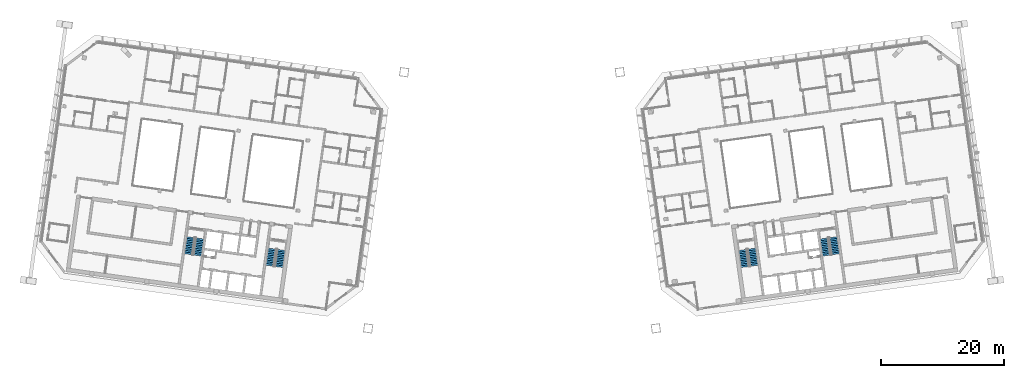
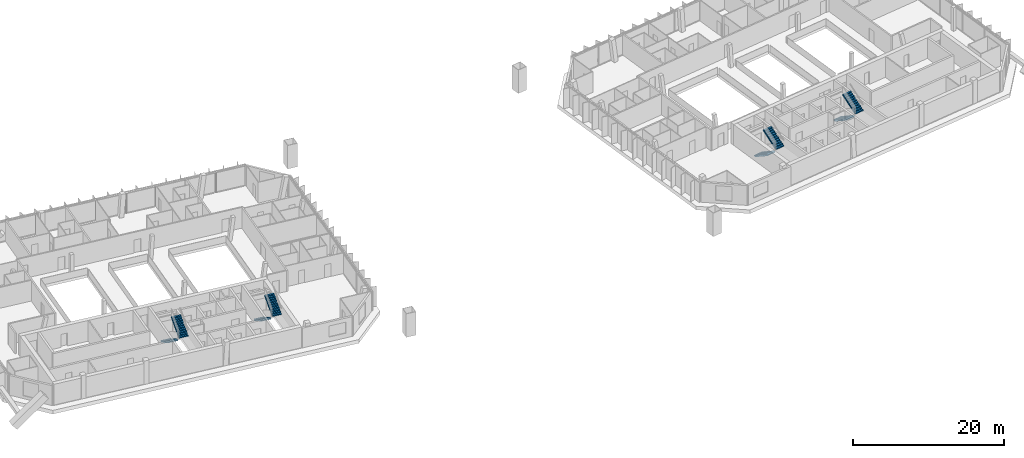
# One storey, part 22 of 26: 8 stair flights, 4 elements without a shape of their own.
"""IFC4 building model written with IfcOpenShell, lengths in metres."""

from ifc_helpers import new_model, si_unit, direction, frame, origin, place, context, subcontext, project, spatial, polyline, outline, extrude, material, type_object, element, aggregate, save


model = new_model("IFC4")

# Units and contexts
model_context = context("Model", 3, precision=1e-05, world=origin(), true_north=direction((0.0, 1.0)))
body_context = subcontext(model_context, "Body", "Model", "MODEL_VIEW")
ifc_project = project(units=[si_unit("LENGTHUNIT", "METRE"), si_unit("AREAUNIT", "SQUARE_METRE"), si_unit("VOLUMEUNIT", "CUBIC_METRE"), si_unit("PLANEANGLEUNIT", "RADIAN"), si_unit("MASSUNIT", "GRAM", prefix="KILO")], contexts=[model_context])

# Site, building, storey
site_placement = place(None, origin())
site = spatial("IfcSite", under=ifc_project, at=site_placement, CompositionType="ELEMENT")
building_placement = place(site_placement, origin())
building = spatial("IfcBuilding", under=site, at=building_placement, Name="Mirante Cascada Hotel Towers", CompositionType="ELEMENT")
storey_placement = place(building_placement, frame((0.0, 0.0, 228.0)))
storey = spatial("IfcBuildingStorey", under=building, at=storey_placement, Name="L54", CompositionType="ELEMENT", Elevation=228.0)

# Stair, stair flights
ifc_material_1 = material(Name="Concrete C35/45", Category="concrete")
stair_type = type_object("IfcStairType", Name="Exit stair half-turn 1350 concrete C35/45", PredefinedType="HALF_TURN_STAIR", material=ifc_material_1)
stair_1_placement = place(storey_placement, origin())
stair_1 = element("IfcStair", 1, at=stair_1_placement, inside=storey, type_object=stair_type, Name="L54 Exit stair A", PredefinedType="HALF_TURN_STAIR")
ifc_material_2 = material(Name="Concrete C35/45", Category="concrete")
stair_flight_type = type_object("IfcStairFlightType", Name="Exit stair flight 1350 concrete C35/45", PredefinedType="STRAIGHT", material=ifc_material_2)
stair_flight_1_placement = place(storey_placement, frame((-38.9417, -11.195, 0.0), z_axis=(0.0, 0.0, 1.0), x_axis=(-0.1391731, -0.9902681, 0.0)))
stair_flight_1 = element("IfcStairFlight", 2, at=stair_flight_1_placement, type_object=stair_flight_type, Name="ST1-A flight 1", NumberOfRisers=11, NumberOfTreads=10, PredefinedType="STRAIGHT", RiserHeight=0.172727273, TreadLength=0.28, context=body_context, shape_type="SweptSolid", body=[
    extrude(outline(polyline([(0.0, 0.0), (0.0, 0.1727), (0.28, 0.1727), (0.28, 0.3455), (0.56, 0.3455), (0.56, 0.5182), (0.84, 0.5182), (0.84, 0.6909), (1.12, 0.6909), (1.12, 0.8636), (1.4, 0.8636), (1.4, 1.0364), (1.68, 1.0364), (1.68, 1.2091), (1.96, 1.2091), (1.96, 1.3818), (2.24, 1.3818), (2.24, 1.5545), (2.52, 1.5545), (2.52, 1.7273), (2.8, 1.7273), (2.8, 1.9), (2.8, 1.551), (0.2857, 0.0), (0.0, 0.0)])), frame((0.0, 0.675, 0.0), z_axis=(0.0, -1.0, 0.0), x_axis=(1.0, 0.0, 0.0)), (0.0, 0.0, 1.0), 1.35),
])
stair_flight_2_placement = place(storey_placement, frame((-37.846, -14.1765, 1.9), z_axis=(0.0, 0.0, 1.0), x_axis=(0.1391731, 0.9902681, 0.0)))
stair_flight_2 = element("IfcStairFlight", 3, at=stair_flight_2_placement, type_object=stair_flight_type, Name="ST1-A flight 2", NumberOfRisers=11, NumberOfTreads=10, PredefinedType="STRAIGHT", RiserHeight=0.172727273, TreadLength=0.28, context=body_context, shape_type="SweptSolid", body=[
    extrude(outline(polyline([(0.0, 0.0), (0.0, 0.1727), (0.28, 0.1727), (0.28, 0.3455), (0.56, 0.3455), (0.56, 0.5182), (0.84, 0.5182), (0.84, 0.6909), (1.12, 0.6909), (1.12, 0.8636), (1.4, 0.8636), (1.4, 1.0364), (1.68, 1.0364), (1.68, 1.2091), (1.96, 1.2091), (1.96, 1.3818), (2.24, 1.3818), (2.24, 1.5545), (2.52, 1.5545), (2.52, 1.7273), (2.8, 1.7273), (2.8, 1.9), (2.8, 1.551), (0.2857, 0.0), (0.0, 0.0)])), frame((0.0, 0.675, 0.0), z_axis=(0.0, -1.0, 0.0), x_axis=(1.0, 0.0, 0.0)), (0.0, 0.0, 1.0), 1.35),
])
aggregate(stair_1, [stair_flight_1, stair_flight_2])

stair_2_placement = place(storey_placement, origin())
stair_2 = element("IfcStair", 4, at=stair_2_placement, inside=storey, type_object=stair_type, Name="L54 Exit stair B", PredefinedType="HALF_TURN_STAIR")
stair_flight_3_placement = place(storey_placement, frame((-52.1618, -9.3371, 0.0), z_axis=(0.0, 0.0, 1.0), x_axis=(-0.1391731, -0.9902681, 0.0)))
stair_flight_3 = element("IfcStairFlight", 5, at=stair_flight_3_placement, type_object=stair_flight_type, Name="ST1-B flight 1", NumberOfRisers=11, NumberOfTreads=10, PredefinedType="STRAIGHT", RiserHeight=0.172727273, TreadLength=0.28, context=body_context, shape_type="SweptSolid", body=[
    extrude(outline(polyline([(0.0, 0.0), (0.0, 0.1727), (0.28, 0.1727), (0.28, 0.3455), (0.56, 0.3455), (0.56, 0.5182), (0.84, 0.5182), (0.84, 0.6909), (1.12, 0.6909), (1.12, 0.8636), (1.4, 0.8636), (1.4, 1.0364), (1.68, 1.0364), (1.68, 1.2091), (1.96, 1.2091), (1.96, 1.3818), (2.24, 1.3818), (2.24, 1.5545), (2.52, 1.5545), (2.52, 1.7273), (2.8, 1.7273), (2.8, 1.9), (2.8, 1.551), (0.2857, 0.0), (0.0, 0.0)])), frame((0.0, 0.675, 0.0), z_axis=(0.0, -1.0, 0.0), x_axis=(1.0, 0.0, 0.0)), (0.0, 0.0, 1.0), 1.35),
])
stair_flight_4_placement = place(storey_placement, frame((-51.0661, -12.3186, 1.9), z_axis=(0.0, 0.0, 1.0), x_axis=(0.1391731, 0.9902681, 0.0)))
stair_flight_4 = element("IfcStairFlight", 6, at=stair_flight_4_placement, type_object=stair_flight_type, Name="ST1-B flight 2", NumberOfRisers=11, NumberOfTreads=10, PredefinedType="STRAIGHT", RiserHeight=0.172727273, TreadLength=0.28, context=body_context, shape_type="SweptSolid", body=[
    extrude(outline(polyline([(0.0, 0.0), (0.0, 0.1727), (0.28, 0.1727), (0.28, 0.3455), (0.56, 0.3455), (0.56, 0.5182), (0.84, 0.5182), (0.84, 0.6909), (1.12, 0.6909), (1.12, 0.8636), (1.4, 0.8636), (1.4, 1.0364), (1.68, 1.0364), (1.68, 1.2091), (1.96, 1.2091), (1.96, 1.3818), (2.24, 1.3818), (2.24, 1.5545), (2.52, 1.5545), (2.52, 1.7273), (2.8, 1.7273), (2.8, 1.9), (2.8, 1.551), (0.2857, 0.0), (0.0, 0.0)])), frame((0.0, 0.675, 0.0), z_axis=(0.0, -1.0, 0.0), x_axis=(1.0, 0.0, 0.0)), (0.0, 0.0, 1.0), 1.35),
])
aggregate(stair_2, [stair_flight_3, stair_flight_4])

stair_3_placement = place(storey_placement, origin())
stair_3 = element("IfcStair", 7, at=stair_3_placement, inside=storey, type_object=stair_type, Name="L54 Exit stair A", PredefinedType="HALF_TURN_STAIR")
stair_flight_5_placement = place(storey_placement, frame((37.4563, -11.4038, 0.0), z_axis=(0.0, 0.0, 1.0), x_axis=(0.1391731, -0.9902681, 0.0)))
stair_flight_5 = element("IfcStairFlight", 8, at=stair_flight_5_placement, type_object=stair_flight_type, Name="ST2-A flight 1", NumberOfRisers=11, NumberOfTreads=10, PredefinedType="STRAIGHT", RiserHeight=0.172727273, TreadLength=0.28, context=body_context, shape_type="SweptSolid", body=[
    extrude(outline(polyline([(0.0, 0.0), (0.0, 0.1727), (0.28, 0.1727), (0.28, 0.3455), (0.56, 0.3455), (0.56, 0.5182), (0.84, 0.5182), (0.84, 0.6909), (1.12, 0.6909), (1.12, 0.8636), (1.4, 0.8636), (1.4, 1.0364), (1.68, 1.0364), (1.68, 1.2091), (1.96, 1.2091), (1.96, 1.3818), (2.24, 1.3818), (2.24, 1.5545), (2.52, 1.5545), (2.52, 1.7273), (2.8, 1.7273), (2.8, 1.9), (2.8, 1.551), (0.2857, 0.0), (0.0, 0.0)])), frame((0.0, 0.675, 0.0), z_axis=(0.0, -1.0, 0.0), x_axis=(1.0, 0.0, 0.0)), (0.0, 0.0, 1.0), 1.35),
])
stair_flight_6_placement = place(storey_placement, frame((39.3314, -13.9678, 1.9), z_axis=(0.0, 0.0, 1.0), x_axis=(-0.1391731, 0.9902681, 0.0)))
stair_flight_6 = element("IfcStairFlight", 9, at=stair_flight_6_placement, type_object=stair_flight_type, Name="ST2-A flight 2", NumberOfRisers=11, NumberOfTreads=10, PredefinedType="STRAIGHT", RiserHeight=0.172727273, TreadLength=0.28, context=body_context, shape_type="SweptSolid", body=[
    extrude(outline(polyline([(0.0, 0.0), (0.0, 0.1727), (0.28, 0.1727), (0.28, 0.3455), (0.56, 0.3455), (0.56, 0.5182), (0.84, 0.5182), (0.84, 0.6909), (1.12, 0.6909), (1.12, 0.8636), (1.4, 0.8636), (1.4, 1.0364), (1.68, 1.0364), (1.68, 1.2091), (1.96, 1.2091), (1.96, 1.3818), (2.24, 1.3818), (2.24, 1.5545), (2.52, 1.5545), (2.52, 1.7273), (2.8, 1.7273), (2.8, 1.9), (2.8, 1.551), (0.2857, 0.0), (0.0, 0.0)])), frame((0.0, 0.675, 0.0), z_axis=(0.0, -1.0, 0.0), x_axis=(1.0, 0.0, 0.0)), (0.0, 0.0, 1.0), 1.35),
])
aggregate(stair_3, [stair_flight_5, stair_flight_6])

stair_4_placement = place(storey_placement, origin())
stair_4 = element("IfcStair", 10, at=stair_4_placement, inside=storey, type_object=stair_type, Name="L54 Exit stair B", PredefinedType="HALF_TURN_STAIR")
stair_flight_7_placement = place(storey_placement, frame((50.6764, -9.5458, 0.0), z_axis=(0.0, 0.0, 1.0), x_axis=(0.1391731, -0.9902681, 0.0)))
stair_flight_7 = element("IfcStairFlight", 11, at=stair_flight_7_placement, type_object=stair_flight_type, Name="ST2-B flight 1", NumberOfRisers=11, NumberOfTreads=10, PredefinedType="STRAIGHT", RiserHeight=0.172727273, TreadLength=0.28, context=body_context, shape_type="SweptSolid", body=[
    extrude(outline(polyline([(0.0, 0.0), (0.0, 0.1727), (0.28, 0.1727), (0.28, 0.3455), (0.56, 0.3455), (0.56, 0.5182), (0.84, 0.5182), (0.84, 0.6909), (1.12, 0.6909), (1.12, 0.8636), (1.4, 0.8636), (1.4, 1.0364), (1.68, 1.0364), (1.68, 1.2091), (1.96, 1.2091), (1.96, 1.3818), (2.24, 1.3818), (2.24, 1.5545), (2.52, 1.5545), (2.52, 1.7273), (2.8, 1.7273), (2.8, 1.9), (2.8, 1.551), (0.2857, 0.0), (0.0, 0.0)])), frame((0.0, 0.675, 0.0), z_axis=(0.0, -1.0, 0.0), x_axis=(1.0, 0.0, 0.0)), (0.0, 0.0, 1.0), 1.35),
])
stair_flight_8_placement = place(storey_placement, frame((52.5515, -12.1098, 1.9), z_axis=(0.0, 0.0, 1.0), x_axis=(-0.1391731, 0.9902681, 0.0)))
stair_flight_8 = element("IfcStairFlight", 12, at=stair_flight_8_placement, type_object=stair_flight_type, Name="ST2-B flight 2", NumberOfRisers=11, NumberOfTreads=10, PredefinedType="STRAIGHT", RiserHeight=0.172727273, TreadLength=0.28, context=body_context, shape_type="SweptSolid", body=[
    extrude(outline(polyline([(0.0, 0.0), (0.0, 0.1727), (0.28, 0.1727), (0.28, 0.3455), (0.56, 0.3455), (0.56, 0.5182), (0.84, 0.5182), (0.84, 0.6909), (1.12, 0.6909), (1.12, 0.8636), (1.4, 0.8636), (1.4, 1.0364), (1.68, 1.0364), (1.68, 1.2091), (1.96, 1.2091), (1.96, 1.3818), (2.24, 1.3818), (2.24, 1.5545), (2.52, 1.5545), (2.52, 1.7273), (2.8, 1.7273), (2.8, 1.9), (2.8, 1.551), (0.2857, 0.0), (0.0, 0.0)])), frame((0.0, 0.675, 0.0), z_axis=(0.0, -1.0, 0.0), x_axis=(1.0, 0.0, 0.0)), (0.0, 0.0, 1.0), 1.35),
])
aggregate(stair_4, [stair_flight_7, stair_flight_8])

save(model, "model.ifc")
